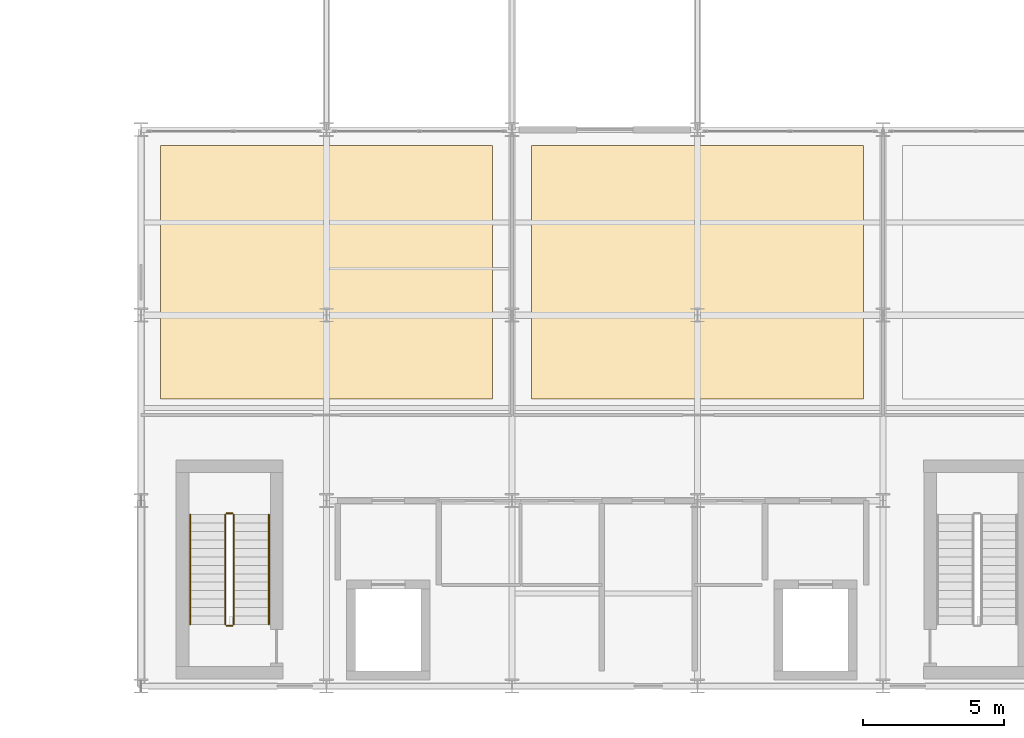
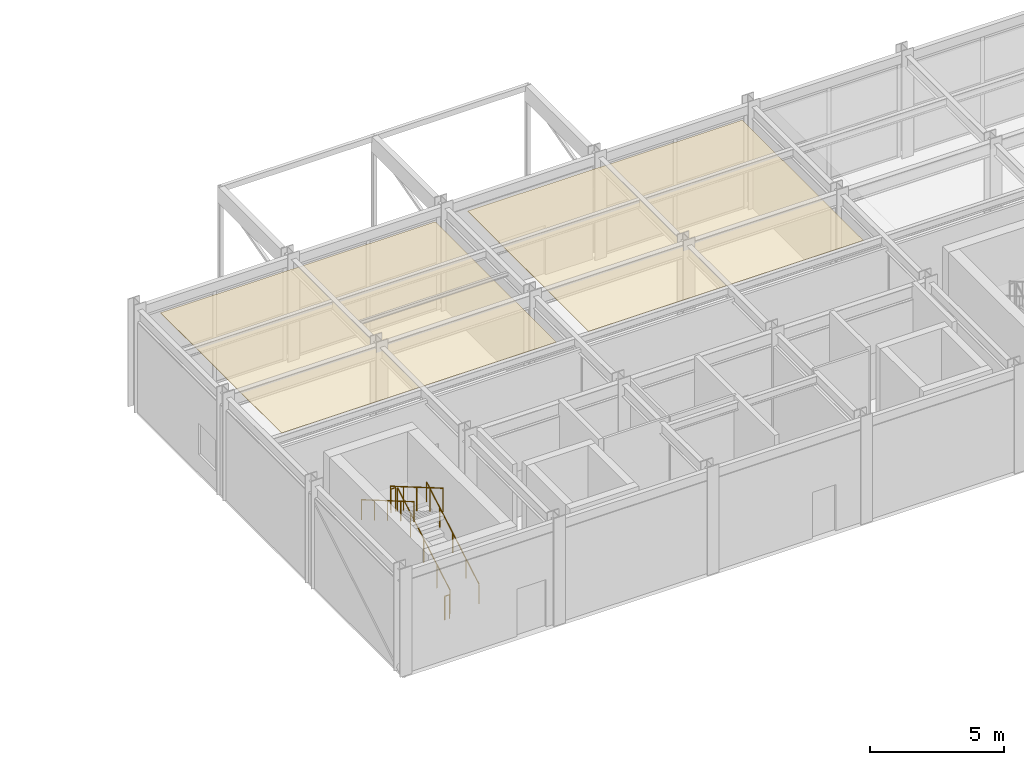
# One storey, part 138 of 144: 6 railings, 2 coverings.
"""IFC4 building model written with IfcOpenShell, lengths in metres."""

from ifc_helpers import new_model, si_unit, direction, frame, origin, origin_2d, place, context, subcontext, project, spatial, polyline, circle, outline, extrude, material, layer, layer_set, type_object, element, save


model = new_model("IFC4")

# Units and contexts
model_context = context("Model", 3, precision=1e-05, world=origin(), true_north=direction((0.0, 1.0)))
body_context = subcontext(model_context, "Body", "Model", "MODEL_VIEW")
ifc_project = project(units=[si_unit("LENGTHUNIT", "METRE"), si_unit("AREAUNIT", "SQUARE_METRE"), si_unit("VOLUMEUNIT", "CUBIC_METRE"), si_unit("PLANEANGLEUNIT", "RADIAN"), si_unit("MASSUNIT", "GRAM", prefix="KILO")], contexts=[model_context])

# Site, building, storey
site_placement = place(None, origin())
site = spatial("IfcSite", under=ifc_project, at=site_placement, CompositionType="ELEMENT")
building_placement = place(site_placement, origin())
building = spatial("IfcBuilding", under=site, at=building_placement, Name="Karori Crest Natural Sciences Institute", CompositionType="ELEMENT")
storey_placement = place(building_placement, origin())
storey = spatial("IfcBuildingStorey", under=building, at=storey_placement, Name="L00", CompositionType="ELEMENT", Elevation=0.0)

# Coverings
ifc_material_1 = material(Name="Acoustic mineral fibre ceiling tile")
ifc_layer = layer(ifc_material_1, 0.02490234375, Name="Acoustic mineral fibre ceiling tile")
ifc_layer_set = layer_set([ifc_layer], Name="Acoustic mineral fibre ceiling tile")
covering_type = type_object("IfcCoveringType", Name="CVT-CEIL", PredefinedType="CEILING", material=ifc_layer_set)
covering_1_placement = place(storey_placement, frame((0.0, 0.0, 4.405029296875)))
element("IfcCovering", 1, at=covering_1_placement, inside=storey, type_object=covering_type, Name="Acoustic ceiling CLG-0001", PredefinedType="CEILING", context=body_context, shape_type="SweptSolid", body=[
    extrude(outline(polyline([(104.29638671875, 20.03515625), (104.29638671875, 11.014892578125), (116.103759765625, 11.014892578125), (116.103759765625, 20.03515625), (104.29638671875, 20.03515625)])), origin(), (0.0, 0.0, 1.0), 0.02490234375),
])
covering_2_placement = place(storey_placement, frame((0.0, 0.0, 4.405029296875)))
element("IfcCovering", 2, at=covering_2_placement, inside=storey, type_object=covering_type, Name="Acoustic ceiling CLG-0002", PredefinedType="CEILING", context=body_context, shape_type="SweptSolid", body=[
    extrude(outline(polyline([(117.496337890625, 20.03515625), (117.496337890625, 11.014892578125), (129.3037109375, 11.014892578125), (129.3037109375, 20.03515625), (117.496337890625, 20.03515625)])), origin(), (0.0, 0.0, 1.0), 0.02490234375),
])

# Railings
ifc_material_2 = material(Name="Stainless steel 316 tubular handrail", Category="steel")
railing_type_1 = type_object("IfcRailingType", Name="RLT-HND", PredefinedType="HANDRAIL", material=ifc_material_2)
railing_1_placement = place(storey_placement, frame((108.14990234375, 3.0, 0.175048828125)))
element("IfcRailing", 3, at=railing_1_placement, inside=storey, type_object=railing_type_1, Name="Stair handrail RL-0103", PredefinedType="HANDRAIL", context=body_context, shape_type="SweptSolid", body=[
    extrude(circle(Radius=0.02392578125, at=origin_2d()), frame((0.0, 0.0, 0.90087890625), z_axis=(0.0, 0.86378282336, 0.503864301244), x_axis=(-1.0, 0.0, 0.0)), (0.0, 0.0, 1.0), 4.514892578125),
    extrude(circle(Radius=0.02099609375, at=origin_2d()), origin(), (0.0, 0.0, 1.0), 0.876953125),
    extrude(circle(Radius=0.02099609375, at=origin_2d()), frame((0.0, 0.97509765625, 0.56884765625)), (0.0, 0.0, 1.0), 0.876953125),
    extrude(circle(Radius=0.02099609375, at=origin_2d()), frame((0.0, 1.949951171875, 1.137451171875)), (0.0, 0.0, 1.0), 0.876953125),
    extrude(circle(Radius=0.02099609375, at=origin_2d()), frame((0.0, 2.9248046875, 1.7060546875)), (0.0, 0.0, 1.0), 0.876953125),
    extrude(circle(Radius=0.02099609375, at=origin_2d()), frame((0.0, 3.89990234375, 2.27490234375)), (0.0, 0.0, 1.0), 0.876953125),
])
railing_2_placement = place(storey_placement, frame((105.35009765625, 6.89990234375, 2.625)))
element("IfcRailing", 4, at=railing_2_placement, inside=storey, type_object=railing_type_1, Name="Stair handrail RL-0104", PredefinedType="HANDRAIL", context=body_context, shape_type="SweptSolid", body=[
    extrude(circle(Radius=0.02392578125, at=origin_2d()), frame((0.0, 0.0, 0.90087890625), z_axis=(0.0, -0.86378282336, 0.503864301244), x_axis=(1.0, 0.0, 0.0)), (0.0, 0.0, 1.0), 4.514892578125),
    extrude(circle(Radius=0.02099609375, at=origin_2d()), origin(), (0.0, 0.0, 1.0), 0.876953125),
    extrude(circle(Radius=0.02099609375, at=origin_2d()), frame((0.0, -0.97509765625, 0.56884765625)), (0.0, 0.0, 1.0), 0.876953125),
    extrude(circle(Radius=0.02099609375, at=origin_2d()), frame((0.0, -1.949951171875, 1.137451171875)), (0.0, 0.0, 1.0), 0.876953125),
    extrude(circle(Radius=0.02099609375, at=origin_2d()), frame((0.0, -2.9248046875, 1.7060546875)), (0.0, 0.0, 1.0), 0.876953125),
    extrude(circle(Radius=0.02099609375, at=origin_2d()), frame((0.0, -3.89990234375, 2.27490234375)), (0.0, 0.0, 1.0), 0.876953125),
])
ifc_material_3 = material(Name="Stainless steel 316 stair guard", Category="steel")
railing_type_2 = type_object("IfcRailingType", Name="RLT-STG", PredefinedType="GUARDRAIL", material=ifc_material_3)
railing_3_placement = place(storey_placement, frame((106.89990234375, 3.0, 0.175048828125)))
element("IfcRailing", 5, at=railing_3_placement, inside=storey, type_object=railing_type_2, Name="Stair guard RL-0099", PredefinedType="GUARDRAIL", context=body_context, shape_type="SweptSolid", body=[
    extrude(circle(Radius=0.02392578125, at=origin_2d()), frame((0.0, 0.0, 1.076171875), z_axis=(0.0, 0.86378282336, 0.503864301244), x_axis=(-1.0, 0.0, 0.0)), (0.0, 0.0, 1.0), 4.514892578125),
    extrude(circle(Radius=0.02099609375, at=origin_2d()), origin(), (0.0, 0.0, 1.0), 1.052001953125),
    extrude(circle(Radius=0.02099609375, at=origin_2d()), frame((0.0, 0.97509765625, 0.56884765625)), (0.0, 0.0, 1.0), 1.052001953125),
    extrude(circle(Radius=0.02099609375, at=origin_2d()), frame((0.0, 1.949951171875, 1.137451171875)), (0.0, 0.0, 1.0), 1.052001953125),
    extrude(circle(Radius=0.02099609375, at=origin_2d()), frame((0.0, 2.9248046875, 1.7060546875)), (0.0, 0.0, 1.0), 1.052001953125),
    extrude(circle(Radius=0.02099609375, at=origin_2d()), frame((0.0, 3.89990234375, 2.27490234375)), (0.0, 0.0, 1.0), 1.052001953125),
])
railing_4_placement = place(storey_placement, frame((106.85009765625, 6.949951171875, 2.449951171875)))
element("IfcRailing", 6, at=railing_4_placement, inside=storey, type_object=railing_type_2, Name="Stair guard RL-0100", PredefinedType="GUARDRAIL", context=body_context, shape_type="SweptSolid", body=[
    extrude(circle(Radius=0.02392578125, at=origin_2d()), frame((0.0, 0.0, 1.076171875), z_axis=(-1.0, 0.0, 0.0), x_axis=(0.0, -1.0, 0.0)), (0.0, 0.0, 1.0), 0.2001953125),
    extrude(circle(Radius=0.02099609375, at=origin_2d()), origin(), (0.0, 0.0, 1.0), 1.052001953125),
    extrude(circle(Radius=0.02099609375, at=origin_2d()), frame((-0.2001953125, 0.0, 0.0)), (0.0, 0.0, 1.0), 1.052001953125),
])
railing_5_placement = place(storey_placement, frame((106.60009765625, 6.89990234375, 2.625)))
element("IfcRailing", 7, at=railing_5_placement, inside=storey, type_object=railing_type_2, Name="Stair guard RL-0101", PredefinedType="GUARDRAIL", context=body_context, shape_type="SweptSolid", body=[
    extrude(circle(Radius=0.02392578125, at=origin_2d()), frame((0.0, 0.0, 1.076171875), z_axis=(0.0, -0.86378282336, 0.503864301244), x_axis=(1.0, 0.0, 0.0)), (0.0, 0.0, 1.0), 4.514892578125),
    extrude(circle(Radius=0.02099609375, at=origin_2d()), origin(), (0.0, 0.0, 1.0), 1.052001953125),
    extrude(circle(Radius=0.02099609375, at=origin_2d()), frame((0.0, -0.97509765625, 0.56884765625)), (0.0, 0.0, 1.0), 1.052001953125),
    extrude(circle(Radius=0.02099609375, at=origin_2d()), frame((0.0, -1.949951171875, 1.137451171875)), (0.0, 0.0, 1.0), 1.052001953125),
    extrude(circle(Radius=0.02099609375, at=origin_2d()), frame((0.0, -2.9248046875, 1.7060546875)), (0.0, 0.0, 1.0), 1.052001953125),
    extrude(circle(Radius=0.02099609375, at=origin_2d()), frame((0.0, -3.89990234375, 2.27490234375)), (0.0, 0.0, 1.0), 1.052001953125),
])
railing_6_placement = place(storey_placement, frame((106.85009765625, 2.949951171875, 0.0)))
element("IfcRailing", 8, at=railing_6_placement, inside=storey, type_object=railing_type_2, Name="Stair guard RL-0102", PredefinedType="GUARDRAIL", context=body_context, shape_type="SweptSolid", body=[
    extrude(circle(Radius=0.02392578125, at=origin_2d()), frame((0.0, 0.0, 1.076171875), z_axis=(-1.0, 0.0, 0.0), x_axis=(0.0, -1.0, 0.0)), (0.0, 0.0, 1.0), 0.2001953125),
    extrude(circle(Radius=0.02099609375, at=origin_2d()), origin(), (0.0, 0.0, 1.0), 1.052001953125),
    extrude(circle(Radius=0.02099609375, at=origin_2d()), frame((-0.2001953125, 0.0, 0.0)), (0.0, 0.0, 1.0), 1.052001953125),
])

save(model, "model.ifc")
